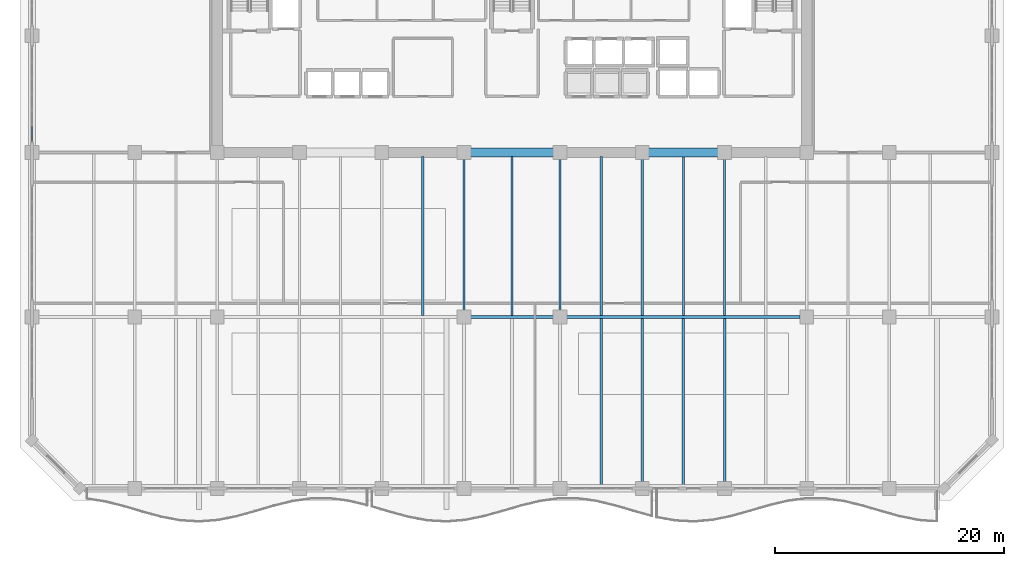
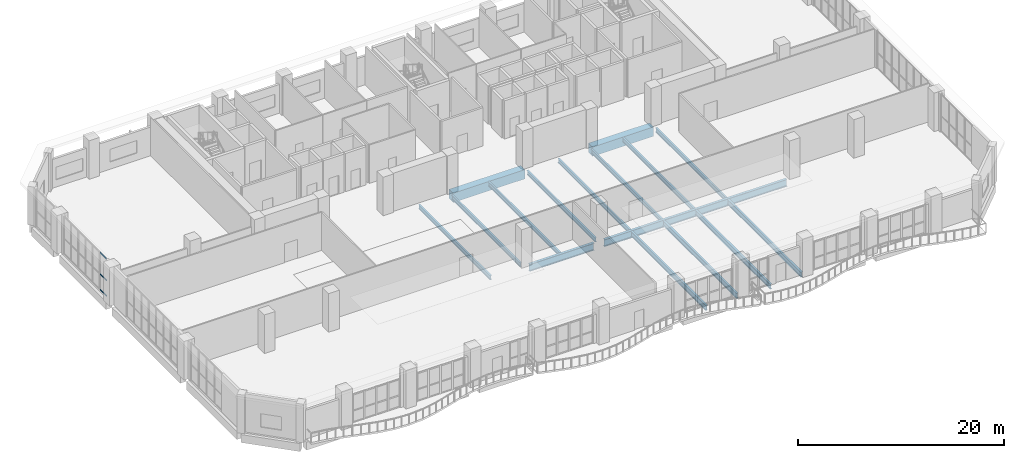
# One storey, part 15 of 37: 16 beams, 3 members, 1 element without a shape of its own.
"""IFC4 building model written with IfcOpenShell, lengths in metres."""

from ifc_helpers import new_model, si_unit, direction, frame, origin, origin_2d, place, context, subcontext, project, spatial, rectangle, hollow_rectangle, i_section, extrude, material, layer, layer_set, material_profile, profile_set, type_object, element, aggregate, save


model = new_model("IFC4")

# Units and contexts
model_context = context("Model", 3, precision=1e-05, world=origin(), true_north=direction((0.0, 1.0)))
body_context = subcontext(model_context, "Body", "Model", "MODEL_VIEW")
ifc_project = project(units=[si_unit("LENGTHUNIT", "METRE"), si_unit("AREAUNIT", "SQUARE_METRE"), si_unit("VOLUMEUNIT", "CUBIC_METRE"), si_unit("PLANEANGLEUNIT", "RADIAN"), si_unit("MASSUNIT", "GRAM", prefix="KILO")], contexts=[model_context])

# Site, building, storey
site_placement = place(None, origin())
site = spatial("IfcSite", under=ifc_project, at=site_placement, CompositionType="ELEMENT")
building_placement = place(site_placement, origin())
building = spatial("IfcBuilding", under=site, at=building_placement, Name="Kaelvorn Grand Hotel", CompositionType="ELEMENT")
storey_placement = place(building_placement, frame((0.0, 0.0, 130.550048828125)))
storey = spatial("IfcBuildingStorey", under=building, at=storey_placement, Name="L31", CompositionType="ELEMENT", Elevation=130.550048828125)

# Beams
ifc_material_1 = material(Name="Steel S355", Category="steel")
ifc_material_profile_1 = material_profile(ifc_material_1, i_section(OverallWidth=0.29248046875, OverallDepth=0.8408203125, WebThickness=0.0146484375, FlangeThickness=0.021728515625, FilletRadius=0.017822265625, at=origin_2d()), Name="UB 838x292x194")
ifc_profile_set_1 = profile_set([ifc_material_profile_1], Name="Steel S355")
beam_type_1 = type_object("IfcBeamType", Name="BM-G-UB838-S355", PredefinedType="BEAM", material=ifc_profile_set_1)
beam_1_placement = place(storey_placement, frame((38.385009765625, 15.0, -0.660400390625), z_axis=(1.0, 0.0, 0.0), x_axis=(0.0, 1.0, 0.0)))
element("IfcBeam", 1, at=beam_1_placement, inside=storey, type_object=beam_type_1, Name="L31 Primary Spine Steel Girder G-15 04", PredefinedType="BEAM", context=body_context, shape_type="SweptSolid", body=[
    extrude(i_section(OverallWidth=0.29248046875, OverallDepth=0.8408203125, WebThickness=0.0146484375, FlangeThickness=0.021728515625, FilletRadius=0.017822265625, at=origin_2d()), origin(), (0.0, 0.0, 1.0), 7.22998046875),
])
beam_2_placement = place(storey_placement, frame((46.784912109375, 15.0, -0.660400390625), z_axis=(1.0, 0.0, 0.0), x_axis=(0.0, 1.0, 0.0)))
element("IfcBeam", 2, at=beam_2_placement, inside=storey, type_object=beam_type_1, Name="L31 Primary Spine Steel Girder G-15 05", PredefinedType="BEAM", context=body_context, shape_type="SweptSolid", body=[
    extrude(i_section(OverallWidth=0.29248046875, OverallDepth=0.8408203125, WebThickness=0.0146484375, FlangeThickness=0.021728515625, FilletRadius=0.017822265625, at=origin_2d()), origin(), (0.0, 0.0, 1.0), 20.43017578125),
])
ifc_material_profile_2 = material_profile(ifc_material_1, i_section(OverallWidth=0.199951171875, OverallDepth=0.5, WebThickness=0.01025390625, FlangeThickness=0.01611328125, FilletRadius=0.02099609375, at=origin_2d()), Name="IPE 500")
ifc_profile_set_2 = profile_set([ifc_material_profile_2], Name="Steel S355")
beam_type_2 = type_object("IfcBeamType", Name="BM-J-IPE500-S355", PredefinedType="JOIST", material=ifc_profile_set_2)
beam_3_placement = place(storey_placement, frame((34.199951171875, 15.131103515625, -0.489990234375), z_axis=(0.0, 1.0, 0.0), x_axis=(-1.0, 0.0, 0.0)))
element("IfcBeam", 3, at=beam_3_placement, inside=storey, type_object=beam_type_2, Name="L31 Composite Floor Joist JM-10", PredefinedType="JOIST", context=body_context, shape_type="SweptSolid", body=[
    extrude(i_section(OverallWidth=0.199951171875, OverallDepth=0.5, WebThickness=0.01025390625, FlangeThickness=0.01611328125, FilletRadius=0.02099609375, at=origin_2d()), origin(), (0.0, 0.0, 1.0), 13.928955078125),
])
beam_4_placement = place(storey_placement, frame((37.800048828125, 15.5849609375, -0.489990234375), z_axis=(0.0, 1.0, 0.0), x_axis=(-1.0, 0.0, 0.0)))
element("IfcBeam", 4, at=beam_4_placement, inside=storey, type_object=beam_type_2, Name="L31 Composite Floor Joist JM-11", PredefinedType="JOIST", context=body_context, shape_type="SweptSolid", body=[
    extrude(i_section(OverallWidth=0.199951171875, OverallDepth=0.5, WebThickness=0.01025390625, FlangeThickness=0.01611328125, FilletRadius=0.02099609375, at=origin_2d()), origin(), (0.0, 0.0, 1.0), 13.22998046875),
])
beam_5_placement = place(storey_placement, frame((42.0, 15.131103515625, -0.489990234375), z_axis=(0.0, 1.0, 0.0), x_axis=(-1.0, 0.0, 0.0)))
element("IfcBeam", 5, at=beam_5_placement, inside=storey, type_object=beam_type_2, Name="L31 Composite Floor Joist JM-12", PredefinedType="JOIST", context=body_context, shape_type="SweptSolid", body=[
    extrude(i_section(OverallWidth=0.199951171875, OverallDepth=0.5, WebThickness=0.01025390625, FlangeThickness=0.01611328125, FilletRadius=0.02099609375, at=origin_2d()), origin(), (0.0, 0.0, 1.0), 13.928955078125),
])
beam_6_placement = place(storey_placement, frame((46.199951171875, 15.5849609375, -0.489990234375), z_axis=(0.0, 1.0, 0.0), x_axis=(-1.0, 0.0, 0.0)))
element("IfcBeam", 6, at=beam_6_placement, inside=storey, type_object=beam_type_2, Name="L31 Composite Floor Joist JM-13", PredefinedType="JOIST", context=body_context, shape_type="SweptSolid", body=[
    extrude(i_section(OverallWidth=0.199951171875, OverallDepth=0.5, WebThickness=0.01025390625, FlangeThickness=0.01611328125, FilletRadius=0.02099609375, at=origin_2d()), origin(), (0.0, 0.0, 1.0), 13.22998046875),
])
beam_7_placement = place(storey_placement, frame((49.800048828125, 15.131103515625, -0.489990234375), z_axis=(0.0, 1.0, 0.0), x_axis=(-1.0, 0.0, 0.0)))
element("IfcBeam", 7, at=beam_7_placement, inside=storey, type_object=beam_type_2, Name="L31 Composite Floor Joist JM-14", PredefinedType="JOIST", context=body_context, shape_type="SweptSolid", body=[
    extrude(i_section(OverallWidth=0.199951171875, OverallDepth=0.5, WebThickness=0.01025390625, FlangeThickness=0.01611328125, FilletRadius=0.02099609375, at=origin_2d()), origin(), (0.0, 0.0, 1.0), 13.928955078125),
])
beam_8_placement = place(storey_placement, frame((53.39990234375, 15.131103515625, -0.489990234375), z_axis=(0.0, 1.0, 0.0), x_axis=(-1.0, 0.0, 0.0)))
element("IfcBeam", 8, at=beam_8_placement, inside=storey, type_object=beam_type_2, Name="L31 Composite Floor Joist JM-15", PredefinedType="JOIST", context=body_context, shape_type="SweptSolid", body=[
    extrude(i_section(OverallWidth=0.199951171875, OverallDepth=0.5, WebThickness=0.01025390625, FlangeThickness=0.01611328125, FilletRadius=0.02099609375, at=origin_2d()), origin(), (0.0, 0.0, 1.0), 13.683837890625),
])
beam_9_placement = place(storey_placement, frame((57.0, 15.131103515625, -0.489990234375), z_axis=(0.0, 1.0, 0.0), x_axis=(-1.0, 0.0, 0.0)))
element("IfcBeam", 9, at=beam_9_placement, inside=storey, type_object=beam_type_2, Name="L31 Composite Floor Joist JM-16", PredefinedType="JOIST", context=body_context, shape_type="SweptSolid", body=[
    extrude(i_section(OverallWidth=0.199951171875, OverallDepth=0.5, WebThickness=0.01025390625, FlangeThickness=0.01611328125, FilletRadius=0.02099609375, at=origin_2d()), origin(), (0.0, 0.0, 1.0), 13.928955078125),
])
beam_10_placement = place(storey_placement, frame((60.60009765625, 15.131103515625, -0.489990234375), z_axis=(0.0, 1.0, 0.0), x_axis=(-1.0, 0.0, 0.0)))
element("IfcBeam", 10, at=beam_10_placement, inside=storey, type_object=beam_type_2, Name="L31 Composite Floor Joist JM-17", PredefinedType="JOIST", context=body_context, shape_type="SweptSolid", body=[
    extrude(i_section(OverallWidth=0.199951171875, OverallDepth=0.5, WebThickness=0.01025390625, FlangeThickness=0.01611328125, FilletRadius=0.02099609375, at=origin_2d()), origin(), (0.0, 0.0, 1.0), 13.683837890625),
])
ifc_material_profile_3 = material_profile(ifc_material_1, i_section(OverallWidth=0.219970703125, OverallDepth=0.60009765625, WebThickness=0.011962890625, FlangeThickness=0.01904296875, FilletRadius=0.02392578125, at=origin_2d()), Name="IPE 600")
ifc_profile_set_3 = profile_set([ifc_material_profile_3], Name="Steel S355")
beam_type_3 = type_object("IfcBeamType", Name="BM-J-IPE600-S355", PredefinedType="JOIST", material=ifc_profile_set_3)
beam_11_placement = place(storey_placement, frame((49.800048828125, 0.31005859375, -0.5400390625), z_axis=(0.0, 1.0, 0.0), x_axis=(-1.0, 0.0, 0.0)))
element("IfcBeam", 11, at=beam_11_placement, inside=storey, type_object=beam_type_3, Name="L31 Composite Floor Joist JS-14", PredefinedType="JOIST", context=body_context, shape_type="SweptSolid", body=[
    extrude(i_section(OverallWidth=0.219970703125, OverallDepth=0.60009765625, WebThickness=0.011962890625, FlangeThickness=0.01904296875, FilletRadius=0.02392578125, at=origin_2d()), origin(), (0.0, 0.0, 1.0), 14.558837890625),
])
beam_12_placement = place(storey_placement, frame((53.39990234375, 0.5849609375, -0.5400390625), z_axis=(0.0, 1.0, 0.0), x_axis=(-1.0, 0.0, 0.0)))
element("IfcBeam", 12, at=beam_12_placement, inside=storey, type_object=beam_type_3, Name="L31 Composite Floor Joist JS-15", PredefinedType="JOIST", context=body_context, shape_type="SweptSolid", body=[
    extrude(i_section(OverallWidth=0.219970703125, OverallDepth=0.60009765625, WebThickness=0.011962890625, FlangeThickness=0.01904296875, FilletRadius=0.02392578125, at=origin_2d()), origin(), (0.0, 0.0, 1.0), 14.283935546875),
])
beam_13_placement = place(storey_placement, frame((57.0, 0.31005859375, -0.5400390625), z_axis=(0.0, 1.0, 0.0), x_axis=(-1.0, 0.0, 0.0)))
element("IfcBeam", 13, at=beam_13_placement, inside=storey, type_object=beam_type_3, Name="L31 Composite Floor Joist JS-16", PredefinedType="JOIST", context=body_context, shape_type="SweptSolid", body=[
    extrude(i_section(OverallWidth=0.219970703125, OverallDepth=0.60009765625, WebThickness=0.011962890625, FlangeThickness=0.01904296875, FilletRadius=0.02392578125, at=origin_2d()), origin(), (0.0, 0.0, 1.0), 14.558837890625),
])
beam_14_placement = place(storey_placement, frame((60.60009765625, 0.5849609375, -0.5400390625), z_axis=(0.0, 1.0, 0.0), x_axis=(-1.0, 0.0, 0.0)))
element("IfcBeam", 14, at=beam_14_placement, inside=storey, type_object=beam_type_3, Name="L31 Composite Floor Joist JS-17", PredefinedType="JOIST", context=body_context, shape_type="SweptSolid", body=[
    extrude(i_section(OverallWidth=0.219970703125, OverallDepth=0.60009765625, WebThickness=0.011962890625, FlangeThickness=0.01904296875, FilletRadius=0.02392578125, at=origin_2d()), origin(), (0.0, 0.0, 1.0), 14.283935546875),
])
ifc_material_2 = material(Name="Concrete C60/75", Category="concrete")
ifc_material_profile_4 = material_profile(ifc_material_2, rectangle(XDim=0.800048828125, YDim=1.10009765625, at=origin_2d()), Name="RC LINTEL 800x1100")
ifc_profile_set_4 = profile_set([ifc_material_profile_4], Name="Concrete C60/75")
beam_type_4 = type_object("IfcBeamType", Name="BM-LIN-800x1100-C60", PredefinedType="LINTEL", material=ifc_profile_set_4)
beam_15_placement = place(storey_placement, frame((37.97998046875, 29.39990234375, -0.7900390625), z_axis=(1.0, 0.0, 0.0), x_axis=(0.0, 1.0, 0.0)))
element("IfcBeam", 15, at=beam_15_placement, inside=storey, type_object=beam_type_4, Name="L31 Rear-Core Coupling Lintel Beam CB1-02", PredefinedType="LINTEL", context=body_context, shape_type="SweptSolid", body=[
    extrude(rectangle(XDim=0.800048828125, YDim=1.10009765625, at=origin_2d()), origin(), (0.0, 0.0, 1.0), 8.0400390625),
])
beam_16_placement = place(storey_placement, frame((53.580078125, 29.39990234375, -0.7900390625), z_axis=(1.0, 0.0, 0.0), x_axis=(0.0, 1.0, 0.0)))
element("IfcBeam", 16, at=beam_16_placement, inside=storey, type_object=beam_type_4, Name="L31 Rear-Core Coupling Lintel Beam CB1-03", PredefinedType="LINTEL", context=body_context, shape_type="SweptSolid", body=[
    extrude(rectangle(XDim=0.800048828125, YDim=1.10009765625, at=origin_2d()), origin(), (0.0, 0.0, 1.0), 6.83984375),
])

# Curtain wall, members
ifc_material_3 = material(Name="Anodised Aluminium", Category="aluminium")
ifc_layer = layer(ifc_material_3, 0.199951171875)
ifc_layer_set = layer_set([ifc_layer], Name="Anodised Aluminium")
curtain_wall_type = type_object("IfcCurtainWallType", Name="CW-SYS3", PredefinedType="NOTDEFINED", material=ifc_layer_set)
curtain_wall_placement = place(storey_placement, origin())
curtain_wall = element("IfcCurtainWall", 17, at=curtain_wall_placement, inside=storey, type_object=curtain_wall_type, Name="L31 Unitised Curtain Wall CW3 (CW-L31-W-03)", PredefinedType="NOTDEFINED")
ifc_material_profile_5 = material_profile(ifc_material_3, hollow_rectangle(XDim=0.070068359375, YDim=0.135009765625, WallThickness=0.00341796875, InnerFilletRadius=0.00341796875, OuterFilletRadius=0.007080078125, at=origin_2d()), Name="ALU TRAN 70x135")
ifc_profile_set_5 = profile_set([ifc_material_profile_5], Name="Anodised Aluminium")
member_type = type_object("IfcMemberType", Name="CW-SYS3-TRAN", PredefinedType="NOTDEFINED", material=ifc_profile_set_5)
member_1_placement = place(storey_placement, frame((0.0, 31.67578125, 0.0673828125), z_axis=(0.0, -1.0, 0.0), x_axis=(1.0, 0.0, 0.0)))
member_1 = element("IfcMember", 18, at=member_1_placement, type_object=member_type, Name="CW3 transom 6.1", ObjectType="TRANSOM", PredefinedType="USERDEFINED", context=body_context, shape_type="SweptSolid", body=[
    extrude(hollow_rectangle(XDim=0.070068359375, YDim=0.135009765625, WallThickness=0.00341796875, InnerFilletRadius=0.00341796875, OuterFilletRadius=0.007080078125, at=origin_2d()), origin(), (0.0, 0.0, 1.0), 1.28076171875),
])
member_2_placement = place(storey_placement, frame((0.0, 31.67578125, 1.8984375), z_axis=(0.0, -1.0, 0.0), x_axis=(1.0, 0.0, 0.0)))
member_2 = element("IfcMember", 19, at=member_2_placement, type_object=member_type, Name="CW3 transom 6.2", ObjectType="TRANSOM", PredefinedType="USERDEFINED", context=body_context, shape_type="SweptSolid", body=[
    extrude(hollow_rectangle(XDim=0.070068359375, YDim=0.135009765625, WallThickness=0.00341796875, InnerFilletRadius=0.00341796875, OuterFilletRadius=0.007080078125, at=origin_2d()), origin(), (0.0, 0.0, 1.0), 1.28076171875),
])
member_3_placement = place(storey_placement, frame((0.0, 31.67578125, 4.452392578125), z_axis=(0.0, -1.0, 0.0), x_axis=(1.0, 0.0, 0.0)))
member_3 = element("IfcMember", 20, at=member_3_placement, type_object=member_type, Name="CW3 transom 6.3", ObjectType="TRANSOM", PredefinedType="USERDEFINED", context=body_context, shape_type="SweptSolid", body=[
    extrude(hollow_rectangle(XDim=0.070068359375, YDim=0.135009765625, WallThickness=0.00341796875, InnerFilletRadius=0.00341796875, OuterFilletRadius=0.007080078125, at=origin_2d()), origin(), (0.0, 0.0, 1.0), 1.28076171875),
])
aggregate(curtain_wall, [member_1, member_2, member_3])

save(model, "model.ifc")
